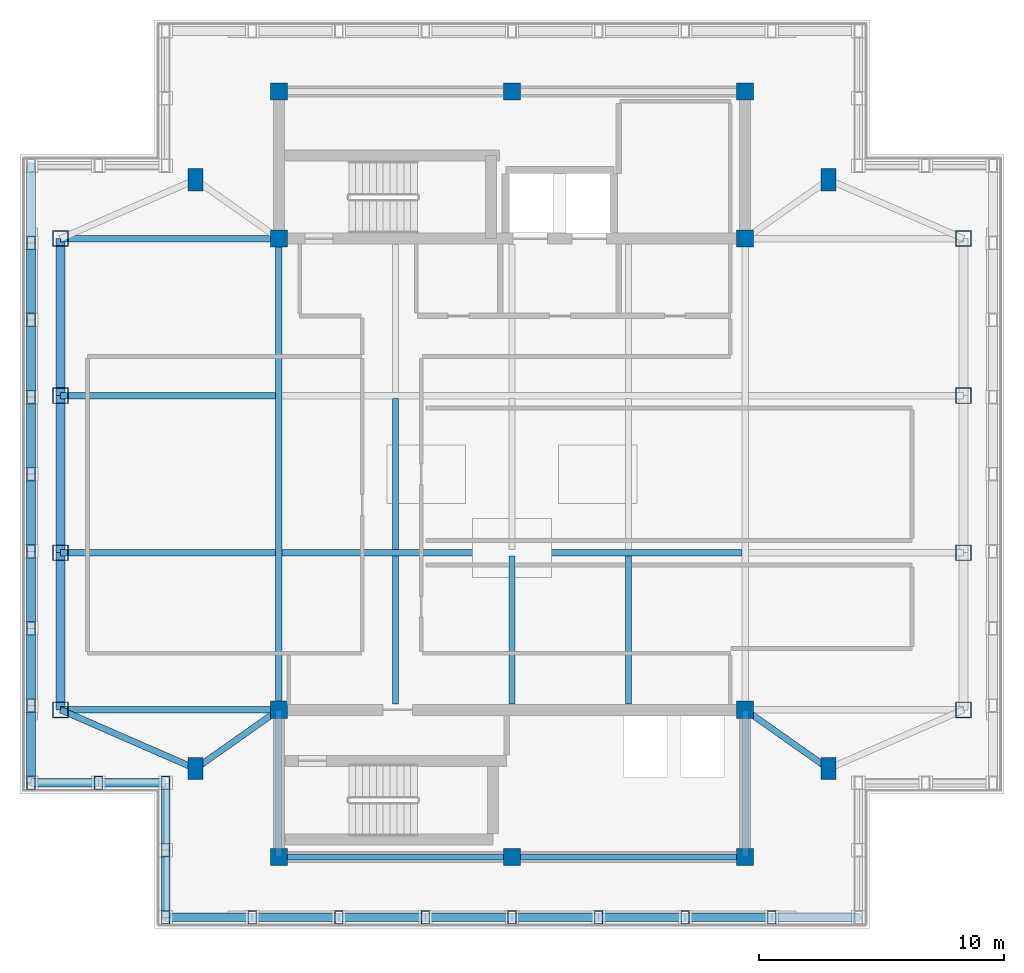
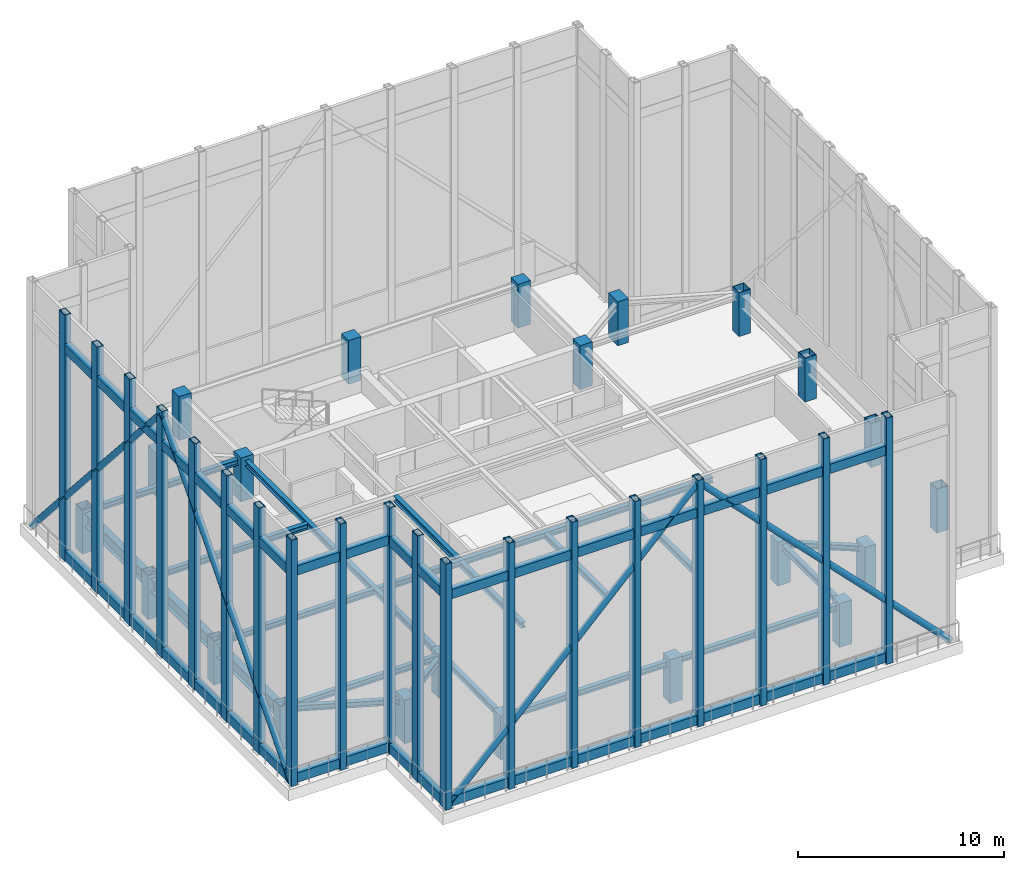
# One storey, part 1 of 8: 59 members, 22 columns, 20 beams.
"""IFC4 building model written with IfcOpenShell, lengths in metres."""

from ifc_helpers import new_model, si_unit, direction, frame, origin, origin_2d, place, context, subcontext, project, spatial, rectangle, hollow_rectangle, hollow_circle, i_section, extrude, material, material_profile, profile_set, type_object, element, save


model = new_model("IFC4")

# Units and contexts
model_context = context("Model", 3, precision=1e-05, world=origin(), true_north=direction((0.0, 1.0)))
body_context = subcontext(model_context, "Body", "Model", "MODEL_VIEW")
ifc_project = project(units=[si_unit("LENGTHUNIT", "METRE"), si_unit("AREAUNIT", "SQUARE_METRE"), si_unit("VOLUMEUNIT", "CUBIC_METRE"), si_unit("PLANEANGLEUNIT", "RADIAN"), si_unit("MASSUNIT", "GRAM", prefix="KILO")], contexts=[model_context])

# Site, building, storey
site_placement = place(None, origin())
site = spatial("IfcSite", under=ifc_project, at=site_placement, CompositionType="ELEMENT")
building_placement = place(site_placement, origin())
building = spatial("IfcBuilding", under=site, at=building_placement, Name="Mirazonda Arch Towers", CompositionType="ELEMENT")
storey_placement = place(building_placement, frame((0.0, 0.0, 263.5)))
storey = spatial("IfcBuildingStorey", under=building, at=storey_placement, Name="L75", CompositionType="ELEMENT", Elevation=263.5)

# Columns
ifc_material_1 = material(Name="Concrete C50/60", Category="concrete")
ifc_material_profile_1 = material_profile(ifc_material_1, rectangle(XDim=0.699951171875, YDim=0.699951171875, at=origin_2d()), Name="RC700x700")
ifc_profile_set_1 = profile_set([ifc_material_profile_1], Name="Concrete C50/60")
column_type_1 = type_object("IfcColumnType", Name="COL-INT-RC700x700", PredefinedType="COLUMN", material=ifc_profile_set_1)
for number, where, z_axis, x_axis, name in (
    (1, (11.0, 12.39990234375, 0.0), (0.0, 0.0, 1.0), (1.0, 0.0, 0.0), "L75 T1 Core Column 01"),
    (2, (20.5, 12.39990234375, 0.0), (0.0, 0.0, 1.0), (1.0, 0.0, 0.0), "L75 T1 Core Column 02"),
    (3, (30.0, 12.39990234375, 0.0), (0.0, 0.0, 1.0), (1.0, 0.0, 0.0), "L75 T1 Core Column 03"),
    (4, (11.0, 18.39990234375, 0.0), (0.0, 0.0, 1.0), (1.0, 0.0, 0.0), "L75 T1 Core Column 04"),
    (5, (30.0, 18.39990234375, 0.0), (0.0, 0.0, 1.0), (1.0, 0.0, 0.0), "L75 T1 Core Column 05"),
    (6, (11.0, 37.60009765625, 0.0), (0.0, 0.0, 1.0), (1.0, 0.0, 0.0), "L75 T1 Core Column 06"),
    (7, (30.0, 37.60009765625, 0.0), (0.0, 0.0, 1.0), (1.0, 0.0, 0.0), "L75 T1 Core Column 07"),
    (8, (11.0, 43.60009765625, 0.0), (0.0, 0.0, 1.0), (1.0, 0.0, 0.0), "L75 T1 Core Column 08"),
    (9, (20.5, 43.60009765625, 0.0), (0.0, 0.0, 1.0), (1.0, 0.0, 0.0), "L75 T1 Core Column 09"),
    (10, (30.0, 43.60009765625, 0.0), (0.0, 0.0, 1.0), (1.0, 0.0, 0.0), "L75 T1 Core Column 10"),
):
    element("IfcColumn", number, at=place(storey_placement, frame(where, z_axis=z_axis, x_axis=x_axis)), inside=storey, type_object=column_type_1, Name=name, PredefinedType="COLUMN", context=body_context, shape_type="SweptSolid", body=[
        extrude(rectangle(XDim=0.699951171875, YDim=0.699951171875, at=origin_2d()), origin(), (0.0, 0.0, 1.0), 2.60009765625),
    ])
ifc_material_2 = material(Name="Steel ASTM A572 Grade 50", Category="steel")
ifc_material_profile_2 = material_profile(ifc_material_2, hollow_rectangle(XDim=0.64990234375, YDim=0.64990234375, WallThickness=0.035888671875, at=origin_2d()), Name="BOX650x650x36")
ifc_profile_set_2 = profile_set([ifc_material_profile_2], Name="Steel ASTM A572 Grade 50")
column_type_2 = type_object("IfcColumnType", Name="MCOL-EXT-BOX650x650x36", PredefinedType="COLUMN", material=ifc_profile_set_2)
for number, where, z_axis, x_axis, name in (
    (11, (2.10009765625, 18.39990234375, 0.0), (0.0, 0.0, 1.0), (1.0, 0.0, 0.0), "L75 T1 Composite Mega-Column 01"),
    (12, (2.10009765625, 24.800048828125, 0.0), (0.0, 0.0, 1.0), (1.0, 0.0, 0.0), "L75 T1 Composite Mega-Column 02"),
    (13, (2.10009765625, 31.199951171875, 0.0), (0.0, 0.0, 1.0), (1.0, 0.0, 0.0), "L75 T1 Composite Mega-Column 03"),
    (14, (2.10009765625, 37.60009765625, 0.0), (0.0, 0.0, 1.0), (1.0, 0.0, 0.0), "L75 T1 Composite Mega-Column 04"),
    (15, (38.89990234375, 18.39990234375, 0.0), (0.0, 0.0, 1.0), (1.0, 0.0, 0.0), "L75 T1 Composite Mega-Column 05"),
    (16, (38.89990234375, 24.800048828125, 0.0), (0.0, 0.0, 1.0), (1.0, 0.0, 0.0), "L75 T1 Composite Mega-Column 06"),
    (17, (38.89990234375, 31.199951171875, 0.0), (0.0, 0.0, 1.0), (1.0, 0.0, 0.0), "L75 T1 Composite Mega-Column 07"),
    (18, (38.89990234375, 37.60009765625, 0.0), (0.0, 0.0, 1.0), (1.0, 0.0, 0.0), "L75 T1 Composite Mega-Column 08"),
):
    element("IfcColumn", number, at=place(storey_placement, frame(where, z_axis=z_axis, x_axis=x_axis)), inside=storey, type_object=column_type_2, Name=name, PredefinedType="COLUMN", context=body_context, shape_type="SweptSolid", body=[
        extrude(hollow_rectangle(XDim=0.64990234375, YDim=0.64990234375, WallThickness=0.035888671875, at=origin_2d()), origin(), (0.0, 0.0, 1.0), 2.60009765625),
    ])
ifc_material_profile_3 = material_profile(ifc_material_1, rectangle(XDim=0.60009765625, YDim=0.89990234375, at=origin_2d()), Name="RC900x600")
ifc_profile_set_3 = profile_set([ifc_material_profile_3], Name="Concrete C50/60")
column_type_3 = type_object("IfcColumnType", Name="PIL-EXT-RC900x600", PredefinedType="PILASTER", material=ifc_profile_set_3)
for number, where, z_axis, x_axis, name in (
    (19, (7.60009765625, 16.0, 0.0), (0.0, 0.0, 1.0), (1.0, 0.0, 0.0), "L75 T1 Corner Pilaster 01"),
    (20, (33.39990234375, 16.0, 0.0), (0.0, 0.0, 1.0), (1.0, 0.0, 0.0), "L75 T1 Corner Pilaster 02"),
    (21, (7.60009765625, 40.0, 0.0), (0.0, 0.0, 1.0), (1.0, 0.0, 0.0), "L75 T1 Corner Pilaster 03"),
    (22, (33.39990234375, 40.0, 0.0), (0.0, 0.0, 1.0), (1.0, 0.0, 0.0), "L75 T1 Corner Pilaster 04"),
):
    element("IfcColumn", number, at=place(storey_placement, frame(where, z_axis=z_axis, x_axis=x_axis)), inside=storey, type_object=column_type_3, Name=name, PredefinedType="PILASTER", context=body_context, shape_type="SweptSolid", body=[
        extrude(rectangle(XDim=0.60009765625, YDim=0.89990234375, at=origin_2d()), origin(), (0.0, 0.0, 1.0), 2.60009765625),
    ])

# Beams
ifc_material_3 = material(Name="Steel ASTM A992 Grade 50", Category="steel")
ifc_material_profile_4 = material_profile(ifc_material_3, i_section(OverallWidth=0.381103515625, OverallDepth=0.77294921875, WebThickness=0.0166015625, FlangeThickness=0.027099609375, at=origin_2d()), Name="W30X173")
ifc_profile_set_4 = profile_set([ifc_material_profile_4], Name="Steel ASTM A992 Grade 50")
beam_type_1 = type_object("IfcBeamType", Name="BM-EXT-W30X173", PredefinedType="USERDEFINED", material=ifc_profile_set_4)
beam_1_placement = place(storey_placement, frame((2.10009765625, 18.39990234375, 1.993408203125), z_axis=(0.0, 1.0, 0.0), x_axis=(-1.0, 0.0, 0.0)))
element("IfcBeam", 23, at=beam_1_placement, inside=storey, type_object=beam_type_1, Name="L75 Floor Beam BMC-T1-L75-NS-W-18", ObjectType="GIRDER", PredefinedType="USERDEFINED", context=body_context, shape_type="SweptSolid", body=[
    extrude(i_section(OverallWidth=0.381103515625, OverallDepth=0.77294921875, WebThickness=0.0166015625, FlangeThickness=0.027099609375, at=origin_2d()), origin(), (0.0, 0.0, 1.0), 6.400146484375),
])
beam_2_placement = place(storey_placement, frame((2.10009765625, 24.800048828125, 1.993408203125), z_axis=(0.0, 1.0, 0.0), x_axis=(-1.0, 0.0, 0.0)))
element("IfcBeam", 24, at=beam_2_placement, inside=storey, type_object=beam_type_1, Name="L75 Floor Beam BMC-T1-L75-NS-W-24", ObjectType="GIRDER", PredefinedType="USERDEFINED", context=body_context, shape_type="SweptSolid", body=[
    extrude(i_section(OverallWidth=0.381103515625, OverallDepth=0.77294921875, WebThickness=0.0166015625, FlangeThickness=0.027099609375, at=origin_2d()), origin(), (0.0, 0.0, 1.0), 6.39990234375),
])
beam_3_placement = place(storey_placement, frame((2.10009765625, 31.199951171875, 1.993408203125), z_axis=(0.0, 1.0, 0.0), x_axis=(-1.0, 0.0, 0.0)))
element("IfcBeam", 25, at=beam_3_placement, inside=storey, type_object=beam_type_1, Name="L75 Floor Beam BMC-T1-L75-NS-W-31", ObjectType="GIRDER", PredefinedType="USERDEFINED", context=body_context, shape_type="SweptSolid", body=[
    extrude(i_section(OverallWidth=0.381103515625, OverallDepth=0.77294921875, WebThickness=0.0166015625, FlangeThickness=0.027099609375, at=origin_2d()), origin(), (0.0, 0.0, 1.0), 6.400146484375),
])
ifc_material_profile_5 = material_profile(ifc_material_3, i_section(OverallWidth=0.257080078125, OverallDepth=0.330078125, WebThickness=0.011962890625, FlangeThickness=0.01953125, at=origin_2d()), Name="W10X68")
ifc_profile_set_5 = profile_set([ifc_material_profile_5], Name="Steel ASTM A992 Grade 50")
beam_type_2 = type_object("IfcBeamType", Name="BM-INT-W10X68", PredefinedType="BEAM", material=ifc_profile_set_5)
for number, where, z_axis, x_axis, name in (
    (26, (2.10009765625, 37.60009765625, 2.215087890625), (1.0, 0.0, 0.0), (0.0, 1.0, 0.0), "L75 Floor Beam CBC-T1-L75-NW"),
    (27, (2.10009765625, 18.39990234375, 2.215087890625), (1.0, 0.0, 0.0), (0.0, 1.0, 0.0), "L75 Floor Beam CBC-T1-L75-SW"),
):
    element("IfcBeam", number, at=place(storey_placement, frame(where, z_axis=z_axis, x_axis=x_axis)), inside=storey, type_object=beam_type_2, Name=name, PredefinedType="BEAM", context=body_context, shape_type="SweptSolid", body=[
        extrude(i_section(OverallWidth=0.257080078125, OverallDepth=0.330078125, WebThickness=0.011962890625, FlangeThickness=0.01953125, at=origin_2d()), origin(), (0.0, 0.0, 1.0), 8.89990234375),
    ])
beam_4_placement = place(storey_placement, frame((11.12841796875, 24.800048828125, 2.215087890625), z_axis=(1.0, 0.0, 0.0), x_axis=(0.0, 1.0, 0.0)))
element("IfcBeam", 28, at=beam_4_placement, inside=storey, type_object=beam_type_2, Name="L75 Floor Beam BMC-T1-L75-GC2", PredefinedType="BEAM", context=body_context, shape_type="SweptSolid", body=[
    extrude(i_section(OverallWidth=0.257080078125, OverallDepth=0.330078125, WebThickness=0.011962890625, FlangeThickness=0.01953125, at=origin_2d()), origin(), (0.0, 0.0, 1.0), 18.7431640625),
])
for number, where, z_axis, x_axis, name in (
    (29, (2.10009765625, 24.800048828125, 2.215087890625), (1.0, 0.0, 0.0), (0.0, 1.0, 0.0), "L75 Floor Beam BMC-T1-L75-GW2"),
    (30, (2.10009765625, 31.199951171875, 2.215087890625), (1.0, 0.0, 0.0), (0.0, 1.0, 0.0), "L75 Floor Beam BMC-T1-L75-GW3"),
):
    element("IfcBeam", number, at=place(storey_placement, frame(where, z_axis=z_axis, x_axis=x_axis)), inside=storey, type_object=beam_type_2, Name=name, PredefinedType="BEAM", context=body_context, shape_type="SweptSolid", body=[
        extrude(i_section(OverallWidth=0.257080078125, OverallDepth=0.330078125, WebThickness=0.011962890625, FlangeThickness=0.01953125, at=origin_2d()), origin(), (0.0, 0.0, 1.0), 8.771484375),
    ])
for number, where, z_axis, x_axis, name in (
    (31, (11.0, 12.39990234375, 2.215087890625), (1.0, 0.0, 0.0), (0.0, 1.0, 0.0), "L75 Floor Beam BMC-T1-L75-CS1"),
    (32, (20.5, 12.39990234375, 2.215087890625), (1.0, 0.0, 0.0), (0.0, 1.0, 0.0), "L75 Floor Beam BMC-T1-L75-CS2"),
):
    element("IfcBeam", number, at=place(storey_placement, frame(where, z_axis=z_axis, x_axis=x_axis)), inside=storey, type_object=beam_type_2, Name=name, PredefinedType="BEAM", context=body_context, shape_type="SweptSolid", body=[
        extrude(i_section(OverallWidth=0.257080078125, OverallDepth=0.330078125, WebThickness=0.011962890625, FlangeThickness=0.01953125, at=origin_2d()), origin(), (0.0, 0.0, 1.0), 9.5),
    ])
for number, where, z_axis, x_axis, name in (
    (33, (11.0, 12.39990234375, 2.215087890625), (0.0, 1.0, 0.0), (-1.0, 0.0, 0.0), "L75 Floor Beam BMC-T1-L75-CSW"),
    (34, (30.0, 12.39990234375, 2.215087890625), (0.0, 1.0, 0.0), (-1.0, 0.0, 0.0), "L75 Floor Beam BMC-T1-L75-CSE"),
):
    element("IfcBeam", number, at=place(storey_placement, frame(where, z_axis=z_axis, x_axis=x_axis)), inside=storey, type_object=beam_type_2, Name=name, PredefinedType="BEAM", context=body_context, shape_type="SweptSolid", body=[
        extrude(i_section(OverallWidth=0.257080078125, OverallDepth=0.330078125, WebThickness=0.011962890625, FlangeThickness=0.01953125, at=origin_2d()), origin(), (0.0, 0.0, 1.0), 6.0),
    ])
beam_5_placement = place(storey_placement, frame((11.0, 18.39990234375, 2.215087890625), z_axis=(0.0, 1.0, 0.0), x_axis=(-1.0, 0.0, 0.0)))
element("IfcBeam", 35, at=beam_5_placement, inside=storey, type_object=beam_type_2, Name="L75 Floor Beam BMC-T1-L75-NS-CW-FULL", PredefinedType="BEAM", context=body_context, shape_type="SweptSolid", body=[
    extrude(i_section(OverallWidth=0.257080078125, OverallDepth=0.330078125, WebThickness=0.011962890625, FlangeThickness=0.01953125, at=origin_2d()), origin(), (0.0, 0.0, 1.0), 19.2001953125),
])
beam_6_placement = place(storey_placement, frame((7.60009765625, 16.0, 2.215087890625), z_axis=(0.816971114901, 0.576678591087, 0.0), x_axis=(-0.576678591087, 0.816971114901, 0.0)))
element("IfcBeam", 36, at=beam_6_placement, inside=storey, type_object=beam_type_2, Name="L75 Floor Beam BMC-T1-L75-PL-SW1", PredefinedType="BEAM", context=body_context, shape_type="SweptSolid", body=[
    extrude(i_section(OverallWidth=0.257080078125, OverallDepth=0.330078125, WebThickness=0.011962890625, FlangeThickness=0.01953125, at=origin_2d()), origin(), (0.0, 0.0, 1.0), 4.16162109375),
])
beam_7_placement = place(storey_placement, frame((7.60009765625, 16.0, 2.215087890625), z_axis=(-0.916545343703, 0.399930785183, 0.0), x_axis=(-0.399930785183, -0.916545343703, 0.0)))
element("IfcBeam", 37, at=beam_7_placement, inside=storey, type_object=beam_type_2, Name="L75 Floor Beam BMC-T1-L75-PL-SW2", PredefinedType="BEAM", context=body_context, shape_type="SweptSolid", body=[
    extrude(i_section(OverallWidth=0.257080078125, OverallDepth=0.330078125, WebThickness=0.011962890625, FlangeThickness=0.01953125, at=origin_2d()), origin(), (0.0, 0.0, 1.0), 6.000732421875),
])
beam_8_placement = place(storey_placement, frame((33.39990234375, 16.0, 2.215087890625), z_axis=(-0.816971114901, 0.576678591087, 0.0), x_axis=(-0.576678591087, -0.816971114901, 0.0)))
element("IfcBeam", 38, at=beam_8_placement, inside=storey, type_object=beam_type_2, Name="L75 Floor Beam BMC-T1-L75-PL-SE1", PredefinedType="BEAM", context=body_context, shape_type="SweptSolid", body=[
    extrude(i_section(OverallWidth=0.257080078125, OverallDepth=0.330078125, WebThickness=0.011962890625, FlangeThickness=0.01953125, at=origin_2d()), origin(), (0.0, 0.0, 1.0), 4.16162109375),
])
beam_9_placement = place(storey_placement, frame((15.75, 18.639892578125, 2.215087890625), z_axis=(0.0, 1.0, 0.0), x_axis=(-1.0, 0.0, 0.0)))
element("IfcBeam", 39, at=beam_9_placement, inside=storey, type_object=beam_type_2, Name="L75 Floor Beam BMC-T1-L75-J-157-18", PredefinedType="BEAM", context=body_context, shape_type="SweptSolid", body=[
    extrude(i_section(OverallWidth=0.257080078125, OverallDepth=0.330078125, WebThickness=0.011962890625, FlangeThickness=0.01953125, at=origin_2d()), origin(), (0.0, 0.0, 1.0), 6.03564453125),
])
beam_10_placement = place(storey_placement, frame((15.75, 24.924560546875, 2.215087890625), z_axis=(0.0, 1.0, 0.0), x_axis=(-1.0, 0.0, 0.0)))
element("IfcBeam", 40, at=beam_10_placement, inside=storey, type_object=beam_type_2, Name="L75 Floor Beam BMC-T1-L75-J-157-24", PredefinedType="BEAM", context=body_context, shape_type="SweptSolid", body=[
    extrude(i_section(OverallWidth=0.257080078125, OverallDepth=0.330078125, WebThickness=0.011962890625, FlangeThickness=0.01953125, at=origin_2d()), origin(), (0.0, 0.0, 1.0), 6.15087890625),
])
for number, where, z_axis, x_axis, name in (
    (41, (20.5, 18.639892578125, 2.215087890625), (0.0, 1.0, 0.0), (-1.0, 0.0, 0.0), "L75 Floor Beam BMC-T1-L75-J-205-18"),
    (42, (25.25, 18.639892578125, 2.215087890625), (0.0, 1.0, 0.0), (-1.0, 0.0, 0.0), "L75 Floor Beam BMC-T1-L75-J-252-18"),
):
    element("IfcBeam", number, at=place(storey_placement, frame(where, z_axis=z_axis, x_axis=x_axis)), inside=storey, type_object=beam_type_2, Name=name, PredefinedType="BEAM", context=body_context, shape_type="SweptSolid", body=[
        extrude(i_section(OverallWidth=0.257080078125, OverallDepth=0.330078125, WebThickness=0.011962890625, FlangeThickness=0.01953125, at=origin_2d()), origin(), (0.0, 0.0, 1.0), 6.03564453125),
    ])

# Members
ifc_material_profile_6 = material_profile(ifc_material_2, hollow_circle(Radius=0.177978515625, WallThickness=0.01611328125, at=origin_2d()), Name="CROWNBRACE356x16CHS")
ifc_profile_set_6 = profile_set([ifc_material_profile_6], Name="Steel ASTM A572 Grade 50")
member_type_1 = type_object("IfcMemberType", Name="MBR-EXT-CROWNBRACE356x16CHS", PredefinedType="BRACE", material=ifc_profile_set_6)
for number, where, z_axis, x_axis, name in (
    (43, (6.385009765625, 9.93994140625, 0.02001953125), (0.702486709712, 0.0, 0.711696861506), (0.0, 1.0, 0.0), "T1 Ring Crown Diagonal Brace 1A"),
    (44, (34.614990234375, 9.93994140625, 0.02001953125), (-0.702486709712, 0.0, 0.711696861506), (0.0, -1.0, 0.0), "T1 Ring Crown Diagonal Brace 1B"),
):
    element("IfcMember", number, at=place(storey_placement, frame(where, z_axis=z_axis, x_axis=x_axis)), inside=storey, type_object=member_type_1, Name=name, PredefinedType="BRACE", context=body_context, shape_type="SweptSolid", body=[
        extrude(hollow_circle(Radius=0.177978515625, WallThickness=0.01611328125, at=origin_2d()), origin(), (0.0, 0.0, 1.0), 20.0927734375),
    ])
for number, where, z_axis, x_axis, name in (
    (45, (0.89990234375, 40.574951171875, 0.02001953125), (0.0, -0.66035877839, 0.750950253881), (1.0, 0.0, 0.0), "T1 Ring Crown Diagonal Brace 4A"),
    (46, (0.89990234375, 15.425048828125, 0.02001953125), (0.0, 0.66035877839, 0.750950253881), (-1.0, 0.0, 0.0), "T1 Ring Crown Diagonal Brace 4B"),
):
    element("IfcMember", number, at=place(storey_placement, frame(where, z_axis=z_axis, x_axis=x_axis)), inside=storey, type_object=member_type_1, Name=name, PredefinedType="BRACE", context=body_context, shape_type="SweptSolid", body=[
        extrude(hollow_circle(Radius=0.177978515625, WallThickness=0.01611328125, at=origin_2d()), origin(), (0.0, 0.0, 1.0), 19.042724609375),
    ])
ifc_material_profile_7 = material_profile(ifc_material_2, hollow_rectangle(XDim=0.35009765625, YDim=0.550048828125, WallThickness=0.030029296875, at=origin_2d()), Name="CROWNFRAME550x350x30")
ifc_profile_set_7 = profile_set([ifc_material_profile_7], Name="Steel ASTM A572 Grade 50")
member_type_2 = type_object("IfcMemberType", Name="MBR-EXT-CROWNFRAME550x350x30", PredefinedType="USERDEFINED", material=ifc_profile_set_7)
for number, where, z_axis, x_axis, name in (
    (47, (6.385009765625, 9.93994140625, 0.0), (0.0, 0.0, 1.0), (1.0, 0.0, 0.0), "T1 Constructivist Ring Crown Post 01"),
    (48, (9.913818359375, 9.93994140625, 0.0), (0.0, 0.0, 1.0), (1.0, 0.0, 0.0), "T1 Constructivist Ring Crown Post 02"),
    (49, (13.4423828125, 9.93994140625, 0.0), (0.0, 0.0, 1.0), (1.0, 0.0, 0.0), "T1 Constructivist Ring Crown Post 03"),
    (50, (16.97119140625, 9.93994140625, 0.0), (0.0, 0.0, 1.0), (1.0, 0.0, 0.0), "T1 Constructivist Ring Crown Post 04"),
    (51, (20.5, 9.93994140625, 0.0), (0.0, 0.0, 1.0), (1.0, 0.0, 0.0), "T1 Constructivist Ring Crown Post 05"),
    (52, (24.02880859375, 9.93994140625, 0.0), (0.0, 0.0, 1.0), (1.0, 0.0, 0.0), "T1 Constructivist Ring Crown Post 06"),
    (53, (27.5576171875, 9.93994140625, 0.0), (0.0, 0.0, 1.0), (1.0, 0.0, 0.0), "T1 Constructivist Ring Crown Post 07"),
    (54, (31.086181640625, 9.93994140625, 0.0), (0.0, 0.0, 1.0), (1.0, 0.0, 0.0), "T1 Constructivist Ring Crown Post 08"),
    (55, (0.89990234375, 37.431396484375, 0.0), (0.0, 0.0, 1.0), (1.0, 0.0, 0.0), "T1 Constructivist Ring Crown Post 38"),
    (56, (0.89990234375, 34.28759765625, 0.0), (0.0, 0.0, 1.0), (1.0, 0.0, 0.0), "T1 Constructivist Ring Crown Post 39"),
    (57, (0.89990234375, 31.143798828125, 0.0), (0.0, 0.0, 1.0), (1.0, 0.0, 0.0), "T1 Constructivist Ring Crown Post 40"),
    (58, (0.89990234375, 28.0, 0.0), (0.0, 0.0, 1.0), (1.0, 0.0, 0.0), "T1 Constructivist Ring Crown Post 41"),
    (59, (0.89990234375, 24.856201171875, 0.0), (0.0, 0.0, 1.0), (1.0, 0.0, 0.0), "T1 Constructivist Ring Crown Post 42"),
    (60, (0.89990234375, 21.71240234375, 0.0), (0.0, 0.0, 1.0), (1.0, 0.0, 0.0), "T1 Constructivist Ring Crown Post 43"),
    (61, (0.89990234375, 18.56884765625, 0.0), (0.0, 0.0, 1.0), (1.0, 0.0, 0.0), "T1 Constructivist Ring Crown Post 44"),
    (62, (0.89990234375, 15.425048828125, 0.0), (0.0, 0.0, 1.0), (1.0, 0.0, 0.0), "T1 Constructivist Ring Crown Post 45"),
    (63, (3.642578125, 15.425048828125, 0.0), (0.0, 0.0, 1.0), (1.0, 0.0, 0.0), "T1 Constructivist Ring Crown Post 46"),
    (64, (6.385009765625, 15.425048828125, 0.0), (0.0, 0.0, 1.0), (1.0, 0.0, 0.0), "T1 Constructivist Ring Crown Post 47"),
    (65, (6.385009765625, 12.6826171875, 0.0), (0.0, 0.0, 1.0), (1.0, 0.0, 0.0), "T1 Constructivist Ring Crown Post 48"),
):
    element("IfcMember", number, at=place(storey_placement, frame(where, z_axis=z_axis, x_axis=x_axis)), inside=storey, type_object=member_type_2, Name=name, ObjectType="CROWN FRAME", PredefinedType="USERDEFINED", context=body_context, shape_type="SweptSolid", body=[
        extrude(hollow_rectangle(XDim=0.35009765625, YDim=0.550048828125, WallThickness=0.030029296875, at=origin_2d()), origin(), (0.0, 0.0, 1.0), 14.60009765625),
    ])
member_1_placement = place(storey_placement, frame((6.385009765625, 9.93994140625, 0.35009765625), z_axis=(1.0, 0.0, 0.0), x_axis=(0.0, 1.0, 0.0)))
element("IfcMember", 66, at=member_1_placement, inside=storey, type_object=member_type_2, Name="T1 Ring Crown Cap Beam 1-01", ObjectType="CROWN FRAME", PredefinedType="USERDEFINED", context=body_context, shape_type="SweptSolid", body=[
    extrude(hollow_rectangle(XDim=0.35009765625, YDim=0.550048828125, WallThickness=0.030029296875, at=origin_2d()), origin(), (0.0, 0.0, 1.0), 3.52880859375),
])
member_2_placement = place(storey_placement, frame((9.913818359375, 9.93994140625, 0.35009765625), z_axis=(1.0, 0.0, 0.0), x_axis=(0.0, 1.0, 0.0)))
element("IfcMember", 67, at=member_2_placement, inside=storey, type_object=member_type_2, Name="T1 Ring Crown Cap Beam 1-02", ObjectType="CROWN FRAME", PredefinedType="USERDEFINED", context=body_context, shape_type="SweptSolid", body=[
    extrude(hollow_rectangle(XDim=0.35009765625, YDim=0.550048828125, WallThickness=0.030029296875, at=origin_2d()), origin(), (0.0, 0.0, 1.0), 3.528564453125),
])
for number, where, z_axis, x_axis, name in (
    (68, (13.4423828125, 9.93994140625, 0.35009765625), (1.0, 0.0, 0.0), (0.0, 1.0, 0.0), "T1 Ring Crown Cap Beam 1-03"),
    (69, (16.97119140625, 9.93994140625, 0.35009765625), (1.0, 0.0, 0.0), (0.0, 1.0, 0.0), "T1 Ring Crown Cap Beam 1-04"),
    (70, (20.5, 9.93994140625, 0.35009765625), (1.0, 0.0, 0.0), (0.0, 1.0, 0.0), "T1 Ring Crown Cap Beam 1-05"),
    (71, (24.02880859375, 9.93994140625, 0.35009765625), (1.0, 0.0, 0.0), (0.0, 1.0, 0.0), "T1 Ring Crown Cap Beam 1-06"),
):
    element("IfcMember", number, at=place(storey_placement, frame(where, z_axis=z_axis, x_axis=x_axis)), inside=storey, type_object=member_type_2, Name=name, ObjectType="CROWN FRAME", PredefinedType="USERDEFINED", context=body_context, shape_type="SweptSolid", body=[
        extrude(hollow_rectangle(XDim=0.35009765625, YDim=0.550048828125, WallThickness=0.030029296875, at=origin_2d()), origin(), (0.0, 0.0, 1.0), 3.52880859375),
    ])
member_3_placement = place(storey_placement, frame((27.5576171875, 9.93994140625, 0.35009765625), z_axis=(1.0, 0.0, 0.0), x_axis=(0.0, 1.0, 0.0)))
element("IfcMember", 72, at=member_3_placement, inside=storey, type_object=member_type_2, Name="T1 Ring Crown Cap Beam 1-07", ObjectType="CROWN FRAME", PredefinedType="USERDEFINED", context=body_context, shape_type="SweptSolid", body=[
    extrude(hollow_rectangle(XDim=0.35009765625, YDim=0.550048828125, WallThickness=0.030029296875, at=origin_2d()), origin(), (0.0, 0.0, 1.0), 3.528564453125),
])
for number, where, z_axis, x_axis, name in (
    (73, (0.89990234375, 37.431396484375, 0.35009765625), (0.0, -1.0, 0.0), (1.0, 0.0, 0.0), "T1 Ring Crown Cap Beam 1-38"),
    (74, (0.89990234375, 34.28759765625, 0.35009765625), (0.0, -1.0, 0.0), (1.0, 0.0, 0.0), "T1 Ring Crown Cap Beam 1-39"),
    (75, (0.89990234375, 31.143798828125, 0.35009765625), (0.0, -1.0, 0.0), (1.0, 0.0, 0.0), "T1 Ring Crown Cap Beam 1-40"),
    (76, (0.89990234375, 28.0, 0.35009765625), (0.0, -1.0, 0.0), (1.0, 0.0, 0.0), "T1 Ring Crown Cap Beam 1-41"),
    (77, (0.89990234375, 24.856201171875, 0.35009765625), (0.0, -1.0, 0.0), (1.0, 0.0, 0.0), "T1 Ring Crown Cap Beam 1-42"),
):
    element("IfcMember", number, at=place(storey_placement, frame(where, z_axis=z_axis, x_axis=x_axis)), inside=storey, type_object=member_type_2, Name=name, ObjectType="CROWN FRAME", PredefinedType="USERDEFINED", context=body_context, shape_type="SweptSolid", body=[
        extrude(hollow_rectangle(XDim=0.35009765625, YDim=0.550048828125, WallThickness=0.030029296875, at=origin_2d()), origin(), (0.0, 0.0, 1.0), 3.143798828125),
    ])
member_4_placement = place(storey_placement, frame((0.89990234375, 21.71240234375, 0.35009765625), z_axis=(0.0, -1.0, 0.0), x_axis=(1.0, 0.0, 0.0)))
element("IfcMember", 78, at=member_4_placement, inside=storey, type_object=member_type_2, Name="T1 Ring Crown Cap Beam 1-43", ObjectType="CROWN FRAME", PredefinedType="USERDEFINED", context=body_context, shape_type="SweptSolid", body=[
    extrude(hollow_rectangle(XDim=0.35009765625, YDim=0.550048828125, WallThickness=0.030029296875, at=origin_2d()), origin(), (0.0, 0.0, 1.0), 3.1435546875),
])
member_5_placement = place(storey_placement, frame((0.89990234375, 18.56884765625, 0.35009765625), z_axis=(0.0, -1.0, 0.0), x_axis=(1.0, 0.0, 0.0)))
element("IfcMember", 79, at=member_5_placement, inside=storey, type_object=member_type_2, Name="T1 Ring Crown Cap Beam 1-44", ObjectType="CROWN FRAME", PredefinedType="USERDEFINED", context=body_context, shape_type="SweptSolid", body=[
    extrude(hollow_rectangle(XDim=0.35009765625, YDim=0.550048828125, WallThickness=0.030029296875, at=origin_2d()), origin(), (0.0, 0.0, 1.0), 3.143798828125),
])
member_6_placement = place(storey_placement, frame((0.89990234375, 15.425048828125, 0.35009765625), z_axis=(1.0, 0.0, 0.0), x_axis=(0.0, 1.0, 0.0)))
element("IfcMember", 80, at=member_6_placement, inside=storey, type_object=member_type_2, Name="T1 Ring Crown Cap Beam 1-45", ObjectType="CROWN FRAME", PredefinedType="USERDEFINED", context=body_context, shape_type="SweptSolid", body=[
    extrude(hollow_rectangle(XDim=0.35009765625, YDim=0.550048828125, WallThickness=0.030029296875, at=origin_2d()), origin(), (0.0, 0.0, 1.0), 2.74267578125),
])
for number, where, z_axis, x_axis, name in (
    (81, (3.642578125, 15.425048828125, 0.35009765625), (1.0, 0.0, 0.0), (0.0, 1.0, 0.0), "T1 Ring Crown Cap Beam 1-46"),
    (82, (6.385009765625, 15.425048828125, 0.35009765625), (0.0, -1.0, 0.0), (1.0, 0.0, 0.0), "T1 Ring Crown Cap Beam 1-47"),
):
    element("IfcMember", number, at=place(storey_placement, frame(where, z_axis=z_axis, x_axis=x_axis)), inside=storey, type_object=member_type_2, Name=name, ObjectType="CROWN FRAME", PredefinedType="USERDEFINED", context=body_context, shape_type="SweptSolid", body=[
        extrude(hollow_rectangle(XDim=0.35009765625, YDim=0.550048828125, WallThickness=0.030029296875, at=origin_2d()), origin(), (0.0, 0.0, 1.0), 2.742431640625),
    ])
member_7_placement = place(storey_placement, frame((6.385009765625, 12.6826171875, 0.35009765625), z_axis=(0.0, -1.0, 0.0), x_axis=(1.0, 0.0, 0.0)))
element("IfcMember", 83, at=member_7_placement, inside=storey, type_object=member_type_2, Name="T1 Ring Crown Cap Beam 1-48", ObjectType="CROWN FRAME", PredefinedType="USERDEFINED", context=body_context, shape_type="SweptSolid", body=[
    extrude(hollow_rectangle(XDim=0.35009765625, YDim=0.550048828125, WallThickness=0.030029296875, at=origin_2d()), origin(), (0.0, 0.0, 1.0), 2.74267578125),
])
member_8_placement = place(storey_placement, frame((6.385009765625, 9.93994140625, 12.6201171875), z_axis=(1.0, 0.0, 0.0), x_axis=(0.0, 1.0, 0.0)))
element("IfcMember", 84, at=member_8_placement, inside=storey, type_object=member_type_2, Name="T1 Ring Crown Cap Beam 2-01", ObjectType="CROWN FRAME", PredefinedType="USERDEFINED", context=body_context, shape_type="SweptSolid", body=[
    extrude(hollow_rectangle(XDim=0.35009765625, YDim=0.550048828125, WallThickness=0.030029296875, at=origin_2d()), origin(), (0.0, 0.0, 1.0), 3.52880859375),
])
member_9_placement = place(storey_placement, frame((9.913818359375, 9.93994140625, 12.6201171875), z_axis=(1.0, 0.0, 0.0), x_axis=(0.0, 1.0, 0.0)))
element("IfcMember", 85, at=member_9_placement, inside=storey, type_object=member_type_2, Name="T1 Ring Crown Cap Beam 2-02", ObjectType="CROWN FRAME", PredefinedType="USERDEFINED", context=body_context, shape_type="SweptSolid", body=[
    extrude(hollow_rectangle(XDim=0.35009765625, YDim=0.550048828125, WallThickness=0.030029296875, at=origin_2d()), origin(), (0.0, 0.0, 1.0), 3.528564453125),
])
for number, where, z_axis, x_axis, name in (
    (86, (13.4423828125, 9.93994140625, 12.6201171875), (1.0, 0.0, 0.0), (0.0, 1.0, 0.0), "T1 Ring Crown Cap Beam 2-03"),
    (87, (16.97119140625, 9.93994140625, 12.6201171875), (1.0, 0.0, 0.0), (0.0, 1.0, 0.0), "T1 Ring Crown Cap Beam 2-04"),
    (88, (20.5, 9.93994140625, 12.6201171875), (1.0, 0.0, 0.0), (0.0, 1.0, 0.0), "T1 Ring Crown Cap Beam 2-05"),
    (89, (24.02880859375, 9.93994140625, 12.6201171875), (1.0, 0.0, 0.0), (0.0, 1.0, 0.0), "T1 Ring Crown Cap Beam 2-06"),
):
    element("IfcMember", number, at=place(storey_placement, frame(where, z_axis=z_axis, x_axis=x_axis)), inside=storey, type_object=member_type_2, Name=name, ObjectType="CROWN FRAME", PredefinedType="USERDEFINED", context=body_context, shape_type="SweptSolid", body=[
        extrude(hollow_rectangle(XDim=0.35009765625, YDim=0.550048828125, WallThickness=0.030029296875, at=origin_2d()), origin(), (0.0, 0.0, 1.0), 3.52880859375),
    ])
member_10_placement = place(storey_placement, frame((27.5576171875, 9.93994140625, 12.6201171875), z_axis=(1.0, 0.0, 0.0), x_axis=(0.0, 1.0, 0.0)))
element("IfcMember", 90, at=member_10_placement, inside=storey, type_object=member_type_2, Name="T1 Ring Crown Cap Beam 2-07", ObjectType="CROWN FRAME", PredefinedType="USERDEFINED", context=body_context, shape_type="SweptSolid", body=[
    extrude(hollow_rectangle(XDim=0.35009765625, YDim=0.550048828125, WallThickness=0.030029296875, at=origin_2d()), origin(), (0.0, 0.0, 1.0), 3.528564453125),
])
for number, where, z_axis, x_axis, name in (
    (91, (0.89990234375, 37.431396484375, 12.6201171875), (0.0, -1.0, 0.0), (1.0, 0.0, 0.0), "T1 Ring Crown Cap Beam 2-38"),
    (92, (0.89990234375, 34.28759765625, 12.6201171875), (0.0, -1.0, 0.0), (1.0, 0.0, 0.0), "T1 Ring Crown Cap Beam 2-39"),
    (93, (0.89990234375, 31.143798828125, 12.6201171875), (0.0, -1.0, 0.0), (1.0, 0.0, 0.0), "T1 Ring Crown Cap Beam 2-40"),
    (94, (0.89990234375, 28.0, 12.6201171875), (0.0, -1.0, 0.0), (1.0, 0.0, 0.0), "T1 Ring Crown Cap Beam 2-41"),
    (95, (0.89990234375, 24.856201171875, 12.6201171875), (0.0, -1.0, 0.0), (1.0, 0.0, 0.0), "T1 Ring Crown Cap Beam 2-42"),
):
    element("IfcMember", number, at=place(storey_placement, frame(where, z_axis=z_axis, x_axis=x_axis)), inside=storey, type_object=member_type_2, Name=name, ObjectType="CROWN FRAME", PredefinedType="USERDEFINED", context=body_context, shape_type="SweptSolid", body=[
        extrude(hollow_rectangle(XDim=0.35009765625, YDim=0.550048828125, WallThickness=0.030029296875, at=origin_2d()), origin(), (0.0, 0.0, 1.0), 3.143798828125),
    ])
member_11_placement = place(storey_placement, frame((0.89990234375, 21.71240234375, 12.6201171875), z_axis=(0.0, -1.0, 0.0), x_axis=(1.0, 0.0, 0.0)))
element("IfcMember", 96, at=member_11_placement, inside=storey, type_object=member_type_2, Name="T1 Ring Crown Cap Beam 2-43", ObjectType="CROWN FRAME", PredefinedType="USERDEFINED", context=body_context, shape_type="SweptSolid", body=[
    extrude(hollow_rectangle(XDim=0.35009765625, YDim=0.550048828125, WallThickness=0.030029296875, at=origin_2d()), origin(), (0.0, 0.0, 1.0), 3.1435546875),
])
member_12_placement = place(storey_placement, frame((0.89990234375, 18.56884765625, 12.6201171875), z_axis=(0.0, -1.0, 0.0), x_axis=(1.0, 0.0, 0.0)))
element("IfcMember", 97, at=member_12_placement, inside=storey, type_object=member_type_2, Name="T1 Ring Crown Cap Beam 2-44", ObjectType="CROWN FRAME", PredefinedType="USERDEFINED", context=body_context, shape_type="SweptSolid", body=[
    extrude(hollow_rectangle(XDim=0.35009765625, YDim=0.550048828125, WallThickness=0.030029296875, at=origin_2d()), origin(), (0.0, 0.0, 1.0), 3.143798828125),
])
member_13_placement = place(storey_placement, frame((0.89990234375, 15.425048828125, 12.6201171875), z_axis=(1.0, 0.0, 0.0), x_axis=(0.0, 1.0, 0.0)))
element("IfcMember", 98, at=member_13_placement, inside=storey, type_object=member_type_2, Name="T1 Ring Crown Cap Beam 2-45", ObjectType="CROWN FRAME", PredefinedType="USERDEFINED", context=body_context, shape_type="SweptSolid", body=[
    extrude(hollow_rectangle(XDim=0.35009765625, YDim=0.550048828125, WallThickness=0.030029296875, at=origin_2d()), origin(), (0.0, 0.0, 1.0), 2.74267578125),
])
for number, where, z_axis, x_axis, name in (
    (99, (3.642578125, 15.425048828125, 12.6201171875), (1.0, 0.0, 0.0), (0.0, 1.0, 0.0), "T1 Ring Crown Cap Beam 2-46"),
    (100, (6.385009765625, 15.425048828125, 12.6201171875), (0.0, -1.0, 0.0), (1.0, 0.0, 0.0), "T1 Ring Crown Cap Beam 2-47"),
):
    element("IfcMember", number, at=place(storey_placement, frame(where, z_axis=z_axis, x_axis=x_axis)), inside=storey, type_object=member_type_2, Name=name, ObjectType="CROWN FRAME", PredefinedType="USERDEFINED", context=body_context, shape_type="SweptSolid", body=[
        extrude(hollow_rectangle(XDim=0.35009765625, YDim=0.550048828125, WallThickness=0.030029296875, at=origin_2d()), origin(), (0.0, 0.0, 1.0), 2.742431640625),
    ])
member_14_placement = place(storey_placement, frame((6.385009765625, 12.6826171875, 12.6201171875), z_axis=(0.0, -1.0, 0.0), x_axis=(1.0, 0.0, 0.0)))
element("IfcMember", 101, at=member_14_placement, inside=storey, type_object=member_type_2, Name="T1 Ring Crown Cap Beam 2-48", ObjectType="CROWN FRAME", PredefinedType="USERDEFINED", context=body_context, shape_type="SweptSolid", body=[
    extrude(hollow_rectangle(XDim=0.35009765625, YDim=0.550048828125, WallThickness=0.030029296875, at=origin_2d()), origin(), (0.0, 0.0, 1.0), 2.74267578125),
])

save(model, "model.ifc")
